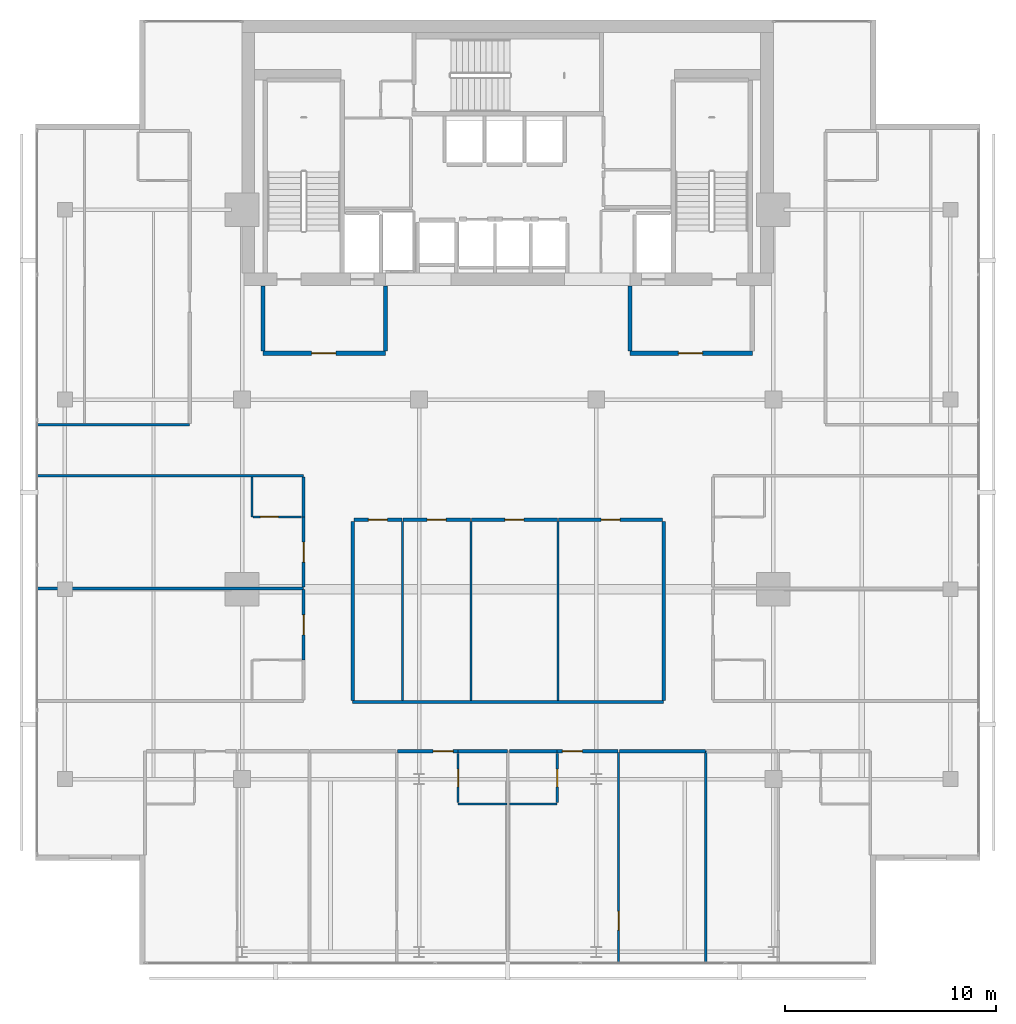
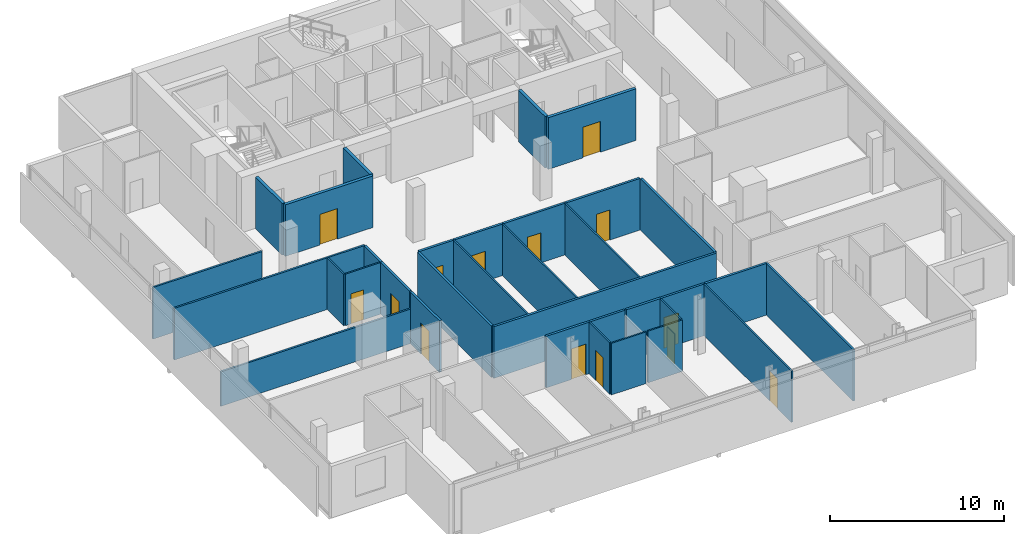
# One storey, part 20 of 25: 34 walls, 14 doors, 14 openings.
"""IFC4 building model written with IfcOpenShell, lengths in metres."""

import ifcopenshell
import ifcopenshell.guid

model = None  # the IFC model being written
_history = None  # IfcOwnerHistory: only IFC2X3 demands one
_inside = {}  # id of a spatial element -> (the spatial element, [elements in it])
_under = {}  # id of a project, library or spatial element -> (it, [spatial elements below it])
_declared = {}  # id of a project -> (the project, [libraries it declares])
_typed = {}  # id of a type object -> (the type object, [elements of that type])
_made_of = {}  # id of a material, layer set ... -> (it, [elements and type objects made of it])


def new_model(schema):
    """Start an empty IFC model of exactly this schema.

    Asked for "IFC4X3", IfcOpenShell would pick the latest addendum, in which some entities
    have other attributes; the version numbers below select the first issue.
    IFC2X3 requires an IfcOwnerHistory on every rooted entity: one is made here for all.
    """
    global model, _history
    if schema == "IFC4X3":
        model = ifcopenshell.file(schema_version=(4, 3, 0, 0))
    else:
        model = ifcopenshell.file(schema=schema)
    _inside.clear()
    _under.clear()
    _declared.clear()
    _typed.clear()
    _made_of.clear()
    _history = None
    if model.schema == "IFC2X3":
        org = make("IfcOrganization", Name="unknown")
        user = make(
            "IfcPersonAndOrganization",
            ThePerson=make("IfcPerson", FamilyName="unknown"),
            TheOrganization=org,
        )
        app = make(
            "IfcApplication",
            ApplicationDeveloper=org,
            Version="unknown",
            ApplicationFullName="unknown",
            ApplicationIdentifier="unknown",
        )
        _history = make(
            "IfcOwnerHistory",
            OwningUser=user,
            OwningApplication=app,
            ChangeAction="ADDED",
            CreationDate=0,
        )
    return model


def make(cls, **values):
    """One entity of the class cls with the attributes given. An attribute that is None is left unset."""
    return model.create_entity(
        cls, **{name: value for name, value in values.items() if value is not None}
    )


def rooted(cls, **values):
    """An entity with a GlobalId (a new one), such as an element, a storey or a relation."""
    return make(cls, GlobalId=ifcopenshell.guid.new(), OwnerHistory=_history, **values)


def si_unit(unit_type, name, prefix=None):
    """IfcSIUnit, for example si_unit("LENGTHUNIT", "METRE", prefix="MILLI")."""
    return make("IfcSIUnit", UnitType=unit_type, Prefix=prefix, Name=name)


def assignment(units):
    """IfcUnitAssignment: the units of a project."""
    return None if units is None else make("IfcUnitAssignment", Units=units)


def point(xyz):
    """IfcCartesianPoint."""
    return None if xyz is None else make("IfcCartesianPoint", Coordinates=xyz)


def direction(xyz):
    """IfcDirection."""
    return None if xyz is None else make("IfcDirection", DirectionRatios=xyz)


def frame(location, z_axis=None, x_axis=None):
    """IfcAxis2Placement3D, a coordinate frame: its origin and axes. An axis left out is left unset."""
    return make(
        "IfcAxis2Placement3D",
        Location=point(location),
        Axis=direction(z_axis),
        RefDirection=direction(x_axis),
    )


def frame_2d(location, x_axis=None):
    """IfcAxis2Placement2D, a coordinate frame in the plane: its origin and x axis."""
    return make(
        "IfcAxis2Placement2D", Location=point(location), RefDirection=direction(x_axis)
    )


def origin():
    """The frame at (0, 0, 0) with its axes left unset."""
    return frame((0.0, 0.0, 0.0))


def place(relative_to, where):
    """IfcLocalPlacement: puts the frame where relative to a parent placement (None: the world)."""
    return make(
        "IfcLocalPlacement", PlacementRelTo=relative_to, RelativePlacement=where
    )


def context(
    kind, dimensions, precision=None, world=None, true_north=None, identifier=None
):
    """IfcGeometricRepresentationContext, for example the 3D "Model" context."""
    return make(
        "IfcGeometricRepresentationContext",
        ContextIdentifier=identifier,
        ContextType=kind,
        CoordinateSpaceDimension=dimensions,
        Precision=precision,
        WorldCoordinateSystem=world,
        TrueNorth=true_north,
    )


def subcontext(parent, identifier, kind, view, scale=None):
    """IfcGeometricRepresentationSubContext, for example "Body" below "Model"."""
    return make(
        "IfcGeometricRepresentationSubContext",
        ContextIdentifier=identifier,
        ContextType=kind,
        ParentContext=parent,
        TargetScale=scale,
        TargetView=view,
    )


def project(units=None, contexts=None):
    """IfcProject with its units and contexts."""
    return rooted(
        "IfcProject",
        Name="project",
        RepresentationContexts=contexts,
        UnitsInContext=assignment(units),
    )


def spatial(cls, under=None, at=None, **own):
    """A site, building, storey or space (cls), placed at a placement, below another one or the project."""
    s = rooted(cls, ObjectPlacement=at, **own)
    if under is not None:
        _under.setdefault(under.id(), (under, []))[1].append(s)
    return s


def profile(cls, at=None, kind="AREA", **sizes):
    """A parametric profile (cls). Its sizes go by their IFC names, for example OverallWidth=200.0."""
    return make(cls, ProfileType=kind, Position=at, **sizes)


def rectangle(**sizes):
    """IfcRectangleProfileDef."""
    return profile("IfcRectangleProfileDef", **sizes)


def extrude(swept, where, along, depth):
    """IfcExtrudedAreaSolid: the profile swept, set in the frame where, extruded along a direction by depth."""
    return make(
        "IfcExtrudedAreaSolid",
        SweptArea=swept,
        Position=where,
        ExtrudedDirection=direction(along),
        Depth=depth,
    )


def shape(context_of_items, identifier, shape_type, items):
    """IfcShapeRepresentation: the items that make up one representation, for example the "Body"."""
    return make(
        "IfcShapeRepresentation",
        ContextOfItems=context_of_items,
        RepresentationIdentifier=identifier,
        RepresentationType=shape_type,
        Items=items,
    )


def material(Name=None, Category=None):
    """IfcMaterial."""
    return make("IfcMaterial", Name=Name, Category=Category)


def layer(
    of_material, thickness, ventilated=None, Name=None, Category=None, Priority=None
):
    """IfcMaterialLayer: one layer of a wall or slab, of a material (None: an air gap)."""
    return make(
        "IfcMaterialLayer",
        Material=of_material,
        LayerThickness=thickness,
        IsVentilated=ventilated,
        Name=Name,
        Category=Category,
        Priority=Priority,
    )


def layer_set(layers, Name=None):
    """IfcMaterialLayerSet."""
    return make("IfcMaterialLayerSet", MaterialLayers=layers, LayerSetName=Name)


def made_of(thing, what):
    """Note that an element or type object is made of a material, layer set ...; save() writes the relation."""
    if what is not None:
        _made_of.setdefault(what.id(), (what, []))[1].append(thing)
    return thing


def type_object(cls, material=None, **own):
    """A type object (cls), such as IfcWallType, which elements share."""
    return made_of(rooted(cls, **own), material)


def element(
    cls,
    number,
    at=None,
    inside=None,
    cuts=None,
    type_object=None,
    material=None,
    context=None,
    identifier="Body",
    shape_type=None,
    held_by="IfcProductDefinitionShape",
    body=None,
    shapes=None,
    **own,
):
    """One element of the class cls, such as IfcWall. Its Tag is "e" and its number.

    at: its placement. inside: the storey or other place that contains it. cuts: it is an
    opening in that element (IfcRelVoidsElement). A single representation is given by context,
    identifier, shape_type and body (its items); several are given by shapes. held_by: the class
    of the entity that holds the representations. save() writes the other relations.
    """
    e = rooted(cls, Tag="e%d" % number, ObjectPlacement=at, **own)
    if body is not None:
        shapes = [shape(context, identifier, shape_type, body)]
    if shapes is not None:
        e.Representation = make(held_by, Representations=shapes)
    if inside is not None:
        _inside.setdefault(inside.id(), (inside, []))[1].append(e)
    if cuts is not None:
        rooted(
            "IfcRelVoidsElement", RelatingBuildingElement=cuts, RelatedOpeningElement=e
        )
    if type_object is not None:
        _typed.setdefault(type_object.id(), (type_object, []))[1].append(e)
    return made_of(e, material)


def fill(opening, filler):
    """IfcRelFillsElement: the door or window that sits in an opening."""
    return rooted(
        "IfcRelFillsElement",
        RelatingOpeningElement=opening,
        RelatedBuildingElement=filler,
    )


def aggregate(whole, parts):
    """IfcRelAggregates: a whole, such as a stair, and the parts it consists of."""
    return rooted("IfcRelAggregates", RelatingObject=whole, RelatedObjects=parts)


def save(model, path):
    """Write the relations noted so far, then the file.

    IfcRelAggregates (storeys below a building ...), IfcRelContainedInSpatialStructure (elements
    in a storey), IfcRelDefinesByType, IfcRelAssociatesMaterial and IfcRelDeclares: one each for
    every whole, place, type object, material and project.
    """
    for whole, parts in _under.values():
        aggregate(whole, parts)
    for where, things in _inside.values():
        rooted(
            "IfcRelContainedInSpatialStructure",
            RelatedElements=things,
            RelatingStructure=where,
        )
    for kind, things in _typed.values():
        rooted("IfcRelDefinesByType", RelatedObjects=things, RelatingType=kind)
    for what, things in _made_of.values():
        rooted("IfcRelAssociatesMaterial", RelatedObjects=things, RelatingMaterial=what)
    for by, libraries in _declared.values():
        rooted("IfcRelDeclares", RelatingContext=by, RelatedDefinitions=libraries)
    model.write(path)


model = new_model("IFC4")

# Units and contexts
model_context = context("Model", 3, precision=1e-05, world=origin(), true_north=direction((0.0, 1.0)))
body_context = subcontext(model_context, "Body", "Model", "MODEL_VIEW")
ifc_project = project(units=[si_unit("LENGTHUNIT", "METRE"), si_unit("AREAUNIT", "SQUARE_METRE"), si_unit("VOLUMEUNIT", "CUBIC_METRE"), si_unit("PLANEANGLEUNIT", "RADIAN"), si_unit("MASSUNIT", "GRAM", prefix="KILO")], contexts=[model_context])

# Site, building, storey
site_placement = place(None, origin())
site = spatial("IfcSite", under=ifc_project, at=site_placement, CompositionType="ELEMENT")
building_placement = place(site_placement, origin())
building = spatial("IfcBuilding", under=site, at=building_placement, Name="Maruvema Waterfront Hotel and Observation Tower", CompositionType="ELEMENT")
storey_placement = place(building_placement, frame((0.0, 0.0, 308.699951171875)))
storey = spatial("IfcBuildingStorey", under=building, at=storey_placement, Name="L76", CompositionType="ELEMENT", Elevation=308.699951171875)

# Walls
ifc_material_1 = material(Name="Twin-stud acoustic gypsum drywall", Category="gypsum")
ifc_layer_1 = layer(ifc_material_1, 0.14990234375, Name="Acoustic Corridor and Suite Demising Wall 150 mm")
ifc_layer_set_1 = layer_set([ifc_layer_1], Name="Twin-stud acoustic gypsum drywall")
wall_type_1 = type_object("IfcWallType", Name="Acoustic Corridor and Suite Demising Wall 150 mm", PredefinedType="PARTITIONING", material=ifc_layer_set_1)
wall_1_placement = place(storey_placement, frame((30.449951171875, 21.64990234375, 0.0), z_axis=(0.0, 0.0, 1.0), x_axis=(1.0, 0.0, 0.0)))
element("IfcWall", 1, at=wall_1_placement, inside=storey, type_object=wall_type_1, Name="L76 L76-Z3M Back Wall 021", PredefinedType="PARTITIONING", context=body_context, shape_type="SweptSolid", body=[
    extrude(rectangle(XDim=14.75, YDim=0.14990234375, at=frame_2d((7.375, 0.0))), origin(), (0.0, 0.0, 1.0), 3.610107421875),
])
for number, where, z_axis, x_axis, name in (
    (2, (30.449951171875, 21.72998046875, 0.0), (0.0, 0.0, 1.0), (0.0, 1.0, 0.0), "L76 L76-Z3M West Wall 022"),
    (3, (45.199951171875, 21.72998046875, 0.0), (0.0, 0.0, 1.0), (0.0, 1.0, 0.0), "L76 L76-Z3M East Wall 023"),
):
    element("IfcWall", number, at=place(storey_placement, frame(where, z_axis=z_axis, x_axis=x_axis)), inside=storey, type_object=wall_type_1, Name=name, PredefinedType="PARTITIONING", context=body_context, shape_type="SweptSolid", body=[
        extrude(rectangle(XDim=8.489990234375, YDim=0.14990234375, at=frame_2d((4.2451171875, 0.0))), origin(), (0.0, 0.0, 1.0), 3.610107421875),
    ])

# Wall, opening, door
wall_2_placement = place(storey_placement, frame((30.510009765625, 30.300048828125, 0.0), z_axis=(0.0, 0.0, 1.0), x_axis=(1.0, 0.0, 0.0)))
wall_2 = element("IfcWall", 4, at=wall_2_placement, inside=storey, type_object=wall_type_1, Name="L76 L76-Z3M Front 1 024", PredefinedType="PARTITIONING", context=body_context, shape_type="SweptSolid", body=[
    extrude(rectangle(XDim=2.27001953125, YDim=0.14990234375, at=frame_2d((1.135009765625, 0.0))), origin(), (0.0, 0.0, 1.0), 3.610107421875),
])
opening_1_placement = place(wall_2_placement, frame((0.68505859375, 0.0, 0.0)))
opening_1 = element("IfcOpeningElement", 5, at=opening_1_placement, cuts=wall_2, Name="Opening DR-090", PredefinedType="OPENING", context=body_context, shape_type="SweptSolid", body=[
    extrude(rectangle(XDim=0.89990234375, YDim=2.10009765625, at=frame_2d((0.449951171875, 1.050048828125))), frame((0.0, 0.0849609375, 0.0), z_axis=(0.0, -1.0, 0.0), x_axis=(1.0, 0.0, 0.0)), (0.0, 0.0, 1.0), 0.169921875),
])
ifc_material_2 = material(Name="Solid-core lacquered timber leaf", Category="wood")
door_type_1 = type_object("IfcDoorType", Name="Accessible Toilet and Room Door 900x2100 mm", OperationType="NOTDEFINED", PredefinedType="DOOR", material=ifc_material_2)
door_1_placement = place(opening_1_placement, origin())
door_1 = element("IfcDoor", 6, at=door_1_placement, inside=storey, type_object=door_type_1, Name="L76 Royal Dining Salon 1 Door", OperationType="SINGLE_SWING_RIGHT", OverallHeight=2.10009765625, OverallWidth=0.89990234375, PredefinedType="DOOR", context=body_context, shape_type="SweptSolid", body=[
    extrude(rectangle(XDim=0.89990234375, YDim=2.10009765625, at=frame_2d((0.449951171875, 1.050048828125))), frame((0.0, 0.02490234375, 0.0), z_axis=(0.0, -1.0, 0.0), x_axis=(1.0, 0.0, 0.0)), (0.0, 0.0, 1.0), 0.050048828125),
])
fill(opening_1, door_1)

wall_3_placement = place(storey_placement, frame((32.840087890625, 30.300048828125, 0.0), z_axis=(0.0, 0.0, 1.0), x_axis=(1.0, 0.0, 0.0)))
wall_3 = element("IfcWall", 7, at=wall_3_placement, inside=storey, type_object=wall_type_1, Name="L76 L76-Z3M Front 2 026", PredefinedType="PARTITIONING", context=body_context, shape_type="SweptSolid", body=[
    extrude(rectangle(XDim=3.184814453125, YDim=0.14990234375, at=frame_2d((1.59228515625, 0.0))), origin(), (0.0, 0.0, 1.0), 3.610107421875),
])
opening_2_placement = place(wall_3_placement, frame((1.142578125, 0.0, 0.0)))
opening_2 = element("IfcOpeningElement", 8, at=opening_2_placement, cuts=wall_3, Name="Opening DR-090", PredefinedType="OPENING", context=body_context, shape_type="SweptSolid", body=[
    extrude(rectangle(XDim=0.89990234375, YDim=2.10009765625, at=frame_2d((0.449951171875, 1.050048828125))), frame((0.0, 0.0849609375, 0.0), z_axis=(0.0, -1.0, 0.0), x_axis=(1.0, 0.0, 0.0)), (0.0, 0.0, 1.0), 0.169921875),
])
door_2_placement = place(opening_2_placement, origin())
door_2 = element("IfcDoor", 9, at=door_2_placement, inside=storey, type_object=door_type_1, Name="L76 Royal Dining Salon 2 Door", OperationType="SINGLE_SWING_LEFT", OverallHeight=2.10009765625, OverallWidth=0.89990234375, PredefinedType="DOOR", context=body_context, shape_type="SweptSolid", body=[
    extrude(rectangle(XDim=0.89990234375, YDim=2.10009765625, at=frame_2d((0.449951171875, 1.050048828125))), frame((0.0, 0.02490234375, 0.0), z_axis=(0.0, -1.0, 0.0), x_axis=(1.0, 0.0, 0.0)), (0.0, 0.0, 1.0), 0.050048828125),
])
fill(opening_2, door_2)

wall_4_placement = place(storey_placement, frame((36.0849609375, 30.300048828125, 0.0), z_axis=(0.0, 0.0, 1.0), x_axis=(1.0, 0.0, 0.0)))
wall_4 = element("IfcWall", 10, at=wall_4_placement, inside=storey, type_object=wall_type_1, Name="L76 L76-Z3M Front 3 028", PredefinedType="PARTITIONING", context=body_context, shape_type="SweptSolid", body=[
    extrude(rectangle(XDim=4.070068359375, YDim=0.14990234375, at=frame_2d((2.03515625, 0.0))), origin(), (0.0, 0.0, 1.0), 3.610107421875),
])
opening_3_placement = place(wall_4_placement, frame((1.5849609375, 0.0, 0.0)))
opening_3 = element("IfcOpeningElement", 11, at=opening_3_placement, cuts=wall_4, Name="Opening DR-090", PredefinedType="OPENING", context=body_context, shape_type="SweptSolid", body=[
    extrude(rectangle(XDim=0.89990234375, YDim=2.10009765625, at=frame_2d((0.449951171875, 1.050048828125))), frame((0.0, 0.0849609375, 0.0), z_axis=(0.0, -1.0, 0.0), x_axis=(1.0, 0.0, 0.0)), (0.0, 0.0, 1.0), 0.169921875),
])
door_3_placement = place(opening_3_placement, origin())
door_3 = element("IfcDoor", 12, at=door_3_placement, inside=storey, type_object=door_type_1, Name="L76 Royal Show Kitchen Door", OperationType="SINGLE_SWING_RIGHT", OverallHeight=2.10009765625, OverallWidth=0.89990234375, PredefinedType="DOOR", context=body_context, shape_type="SweptSolid", body=[
    extrude(rectangle(XDim=0.89990234375, YDim=2.10009765625, at=frame_2d((0.449951171875, 1.050048828125))), frame((0.0, 0.02490234375, 0.0), z_axis=(0.0, -1.0, 0.0), x_axis=(1.0, 0.0, 0.0)), (0.0, 0.0, 1.0), 0.050048828125),
])
fill(opening_3, door_3)

wall_5_placement = place(storey_placement, frame((40.215087890625, 30.300048828125, 0.0), z_axis=(0.0, 0.0, 1.0), x_axis=(1.0, 0.0, 0.0)))
wall_5 = element("IfcWall", 13, at=wall_5_placement, inside=storey, type_object=wall_type_1, Name="L76 L76-Z3M Front 4 030", PredefinedType="PARTITIONING", context=body_context, shape_type="SweptSolid", body=[
    extrude(rectangle(XDim=4.9248046875, YDim=0.14990234375, at=frame_2d((2.46240234375, 0.0))), origin(), (0.0, 0.0, 1.0), 3.610107421875),
])
opening_4_placement = place(wall_5_placement, frame((2.012451171875, 0.0, 0.0)))
opening_4 = element("IfcOpeningElement", 14, at=opening_4_placement, cuts=wall_5, Name="Opening DR-090", PredefinedType="OPENING", context=body_context, shape_type="SweptSolid", body=[
    extrude(rectangle(XDim=0.89990234375, YDim=2.10009765625, at=frame_2d((0.449951171875, 1.050048828125))), frame((0.0, 0.0849609375, 0.0), z_axis=(0.0, -1.0, 0.0), x_axis=(1.0, 0.0, 0.0)), (0.0, 0.0, 1.0), 0.169921875),
])
door_4_placement = place(opening_4_placement, origin())
door_4 = element("IfcDoor", 15, at=door_4_placement, inside=storey, type_object=door_type_1, Name="L76 Security Office Door", OperationType="SINGLE_SWING_LEFT", OverallHeight=2.10009765625, OverallWidth=0.89990234375, PredefinedType="DOOR", context=body_context, shape_type="SweptSolid", body=[
    extrude(rectangle(XDim=0.89990234375, YDim=2.10009765625, at=frame_2d((0.449951171875, 1.050048828125))), frame((0.0, 0.02490234375, 0.0), z_axis=(0.0, -1.0, 0.0), x_axis=(1.0, 0.0, 0.0)), (0.0, 0.0, 1.0), 0.050048828125),
])
fill(opening_4, door_4)

# Wall
wall_6_placement = place(storey_placement, frame((35.449951171875, 19.320068359375, 0.0), z_axis=(0.0, 0.0, 1.0), x_axis=(1.0, 0.0, 0.0)))
element("IfcWall", 16, at=wall_6_placement, inside=storey, type_object=wall_type_1, Name="L76 Bath L76-S2 Back Wall 040", PredefinedType="PARTITIONING", context=body_context, shape_type="SweptSolid", body=[
    extrude(rectangle(XDim=2.330078125, YDim=0.14990234375, at=frame_2d((1.1650390625, 0.0))), origin(), (0.0, 0.0, 1.0), 3.610107421875),
])

# Wall, opening, door
wall_7_placement = place(storey_placement, frame((32.575927734375, 19.320068359375, 0.0), z_axis=(0.0, 0.0, 1.0), x_axis=(1.0, 0.0, 0.0)))
wall_7 = element("IfcWall", 17, at=wall_7_placement, inside=storey, type_object=wall_type_1, Name="L76 Unit L76-S2 Corridor Wall 044", PredefinedType="PARTITIONING", context=body_context, shape_type="SweptSolid", body=[
    extrude(rectangle(XDim=2.8740234375, YDim=0.14990234375, at=frame_2d((1.43701171875, 0.0))), origin(), (0.0, 0.0, 1.0), 3.610107421875),
])
opening_5_placement = place(wall_7_placement, frame((1.681884765625, 0.0, 0.0)))
opening_5 = element("IfcOpeningElement", 18, at=opening_5_placement, cuts=wall_7, Name="Opening DR-095", PredefinedType="OPENING", context=body_context, shape_type="SweptSolid", body=[
    extrude(rectangle(XDim=0.949951171875, YDim=2.14990234375, at=frame_2d((0.47509765625, 1.074951171875))), frame((0.0, 0.0849609375, 0.0), z_axis=(0.0, -1.0, 0.0), x_axis=(1.0, 0.0, 0.0)), (0.0, 0.0, 1.0), 0.169921875),
])
ifc_material_3 = material(Name="Acoustic solid-core hardwood timber leaf", Category="wood")
door_type_2 = type_object("IfcDoorType", Name="Guestroom Entrance Fire Door 950x2150 mm", OperationType="NOTDEFINED", PredefinedType="DOOR", material=ifc_material_3)
door_5_placement = place(opening_5_placement, frame((0.949951171875, 0.0, 0.0), z_axis=(0.0, 0.0, 1.0), x_axis=(-1.0, 0.0, 0.0)))
door_5 = element("IfcDoor", 19, at=door_5_placement, inside=storey, type_object=door_type_2, Name="L76 Unit L76-S2 Entrance Door", OperationType="SINGLE_SWING_RIGHT", OverallHeight=2.14990234375, OverallWidth=0.949951171875, PredefinedType="DOOR", context=body_context, shape_type="SweptSolid", body=[
    extrude(rectangle(XDim=0.949951171875, YDim=2.14990234375, at=frame_2d((0.47509765625, 1.074951171875))), frame((0.0, 0.02490234375, 0.0), z_axis=(0.0, -1.0, 0.0), x_axis=(1.0, 0.0, 0.0)), (0.0, 0.0, 1.0), 0.050048828125),
])
fill(opening_5, door_5)

# Wall
wall_8_placement = place(storey_placement, frame((37.8798828125, 19.320068359375, 0.0), z_axis=(0.0, 0.0, 1.0), x_axis=(1.0, 0.0, 0.0)))
element("IfcWall", 20, at=wall_8_placement, inside=storey, type_object=wall_type_1, Name="L76 Bath L76-S3 Back Wall 047", PredefinedType="PARTITIONING", context=body_context, shape_type="SweptSolid", body=[
    extrude(rectangle(XDim=2.27001953125, YDim=0.14990234375, at=frame_2d((1.135009765625, 0.0))), origin(), (0.0, 0.0, 1.0), 3.610107421875),
])

# Wall, opening, door
wall_9_placement = place(storey_placement, frame((40.14990234375, 19.320068359375, 0.0), z_axis=(0.0, 0.0, 1.0), x_axis=(1.0, 0.0, 0.0)))
wall_9 = element("IfcWall", 21, at=wall_9_placement, inside=storey, type_object=wall_type_1, Name="L76 Unit L76-S3 Corridor Wall 050", PredefinedType="PARTITIONING", context=body_context, shape_type="SweptSolid", body=[
    extrude(rectangle(XDim=2.8740234375, YDim=0.14990234375, at=frame_2d((1.43701171875, 0.0))), origin(), (0.0, 0.0, 1.0), 3.610107421875),
])
opening_6_placement = place(wall_9_placement, frame((0.241943359375, 0.0, 0.0)))
opening_6 = element("IfcOpeningElement", 22, at=opening_6_placement, cuts=wall_9, Name="Opening DR-095", PredefinedType="OPENING", context=body_context, shape_type="SweptSolid", body=[
    extrude(rectangle(XDim=0.949951171875, YDim=2.14990234375, at=frame_2d((0.47509765625, 1.074951171875))), frame((0.0, 0.0849609375, 0.0), z_axis=(0.0, -1.0, 0.0), x_axis=(1.0, 0.0, 0.0)), (0.0, 0.0, 1.0), 0.169921875),
])
door_6_placement = place(opening_6_placement, frame((0.949951171875, 0.0, 0.0), z_axis=(0.0, 0.0, 1.0), x_axis=(-1.0, 0.0, 0.0)))
door_6 = element("IfcDoor", 23, at=door_6_placement, inside=storey, type_object=door_type_2, Name="L76 Unit L76-S3 Entrance Door", OperationType="SINGLE_SWING_LEFT", OverallHeight=2.14990234375, OverallWidth=0.949951171875, PredefinedType="DOOR", context=body_context, shape_type="SweptSolid", body=[
    extrude(rectangle(XDim=0.949951171875, YDim=2.14990234375, at=frame_2d((0.47509765625, 1.074951171875))), frame((0.0, 0.02490234375, 0.0), z_axis=(0.0, -1.0, 0.0), x_axis=(1.0, 0.0, 0.0)), (0.0, 0.0, 1.0), 0.050048828125),
])
fill(opening_6, door_6)

# Wall
wall_10_placement = place(storey_placement, frame((43.10400390625, 19.320068359375, 0.0), z_axis=(0.0, 0.0, 1.0), x_axis=(1.0, 0.0, 0.0)))
element("IfcWall", 24, at=wall_10_placement, inside=storey, type_object=wall_type_1, Name="L76 Bedroom L76-S3 Back Wall 051", PredefinedType="PARTITIONING", context=body_context, shape_type="SweptSolid", body=[
    extrude(rectangle(XDim=4.075927734375, YDim=0.14990234375, at=frame_2d((2.0380859375, 0.0))), origin(), (0.0, 0.0, 1.0), 3.610107421875),
])

# Wall, opening, door
wall_11_placement = place(storey_placement, frame((28.1201171875, 23.64990234375, 0.0), z_axis=(0.0, 0.0, 1.0), x_axis=(0.0, 1.0, 0.0)))
wall_11 = element("IfcWall", 25, at=wall_11_placement, inside=storey, type_object=wall_type_1, Name="L76 Room L76-W1 Corridor Wall 065", PredefinedType="PARTITIONING", context=body_context, shape_type="SweptSolid", body=[
    extrude(rectangle(XDim=3.330078125, YDim=0.14990234375, at=frame_2d((1.6650390625, 0.0))), origin(), (0.0, 0.0, 1.0), 3.610107421875),
])
opening_7_placement = place(wall_11_placement, frame((1.18994140625, 0.0, 0.0)))
opening_7 = element("IfcOpeningElement", 26, at=opening_7_placement, cuts=wall_11, Name="Opening DR-095", PredefinedType="OPENING", context=body_context, shape_type="SweptSolid", body=[
    extrude(rectangle(XDim=0.949951171875, YDim=2.14990234375, at=frame_2d((0.47509765625, 1.074951171875))), frame((0.0, 0.0849609375, 0.0), z_axis=(0.0, -1.0, 0.0), x_axis=(1.0, 0.0, 0.0)), (0.0, 0.0, 1.0), 0.169921875),
])
door_7_placement = place(opening_7_placement, origin())
door_7 = element("IfcDoor", 27, at=door_7_placement, inside=storey, type_object=door_type_2, Name="L76 Room L76-W1 Entrance Door", OperationType="SINGLE_SWING_LEFT", OverallHeight=2.14990234375, OverallWidth=0.949951171875, PredefinedType="DOOR", context=body_context, shape_type="SweptSolid", body=[
    extrude(rectangle(XDim=0.949951171875, YDim=2.14990234375, at=frame_2d((0.47509765625, 1.074951171875))), frame((0.0, 0.02490234375, 0.0), z_axis=(0.0, -1.0, 0.0), x_axis=(1.0, 0.0, 0.0)), (0.0, 0.0, 1.0), 0.050048828125),
])
fill(opening_7, door_7)

wall_12_placement = place(storey_placement, frame((28.1201171875, 27.10009765625, 0.0), z_axis=(0.0, 0.0, 1.0), x_axis=(0.0, 1.0, 0.0)))
wall_12 = element("IfcWall", 28, at=wall_12_placement, inside=storey, type_object=wall_type_1, Name="L76 Room L76-W2 Corridor Wall 074", PredefinedType="PARTITIONING", context=body_context, shape_type="SweptSolid", body=[
    extrude(rectangle(XDim=3.329833984375, YDim=0.14990234375, at=frame_2d((1.6650390625, 0.0))), origin(), (0.0, 0.0, 1.0), 3.610107421875),
])
opening_8_placement = place(wall_12_placement, frame((1.18994140625, 0.0, 0.0)))
opening_8 = element("IfcOpeningElement", 29, at=opening_8_placement, cuts=wall_12, Name="Opening DR-095", PredefinedType="OPENING", context=body_context, shape_type="SweptSolid", body=[
    extrude(rectangle(XDim=0.949951171875, YDim=2.14990234375, at=frame_2d((0.47509765625, 1.074951171875))), frame((0.0, 0.0849609375, 0.0), z_axis=(0.0, -1.0, 0.0), x_axis=(1.0, 0.0, 0.0)), (0.0, 0.0, 1.0), 0.169921875),
])
door_8_placement = place(opening_8_placement, origin())
door_8 = element("IfcDoor", 30, at=door_8_placement, inside=storey, type_object=door_type_2, Name="L76 Room L76-W2 Entrance Door", OperationType="SINGLE_SWING_LEFT", OverallHeight=2.14990234375, OverallWidth=0.949951171875, PredefinedType="DOOR", context=body_context, shape_type="SweptSolid", body=[
    extrude(rectangle(XDim=0.949951171875, YDim=2.14990234375, at=frame_2d((0.47509765625, 1.074951171875))), frame((0.0, 0.02490234375, 0.0), z_axis=(0.0, -1.0, 0.0), x_axis=(1.0, 0.0, 0.0)), (0.0, 0.0, 1.0), 0.050048828125),
])
fill(opening_8, door_8)

# Walls
wall_13_placement = place(storey_placement, frame((28.1201171875, 30.429931640625, 0.0), z_axis=(0.0, 0.0, 1.0), x_axis=(0.0, 1.0, 0.0)))
element("IfcWall", 31, at=wall_13_placement, inside=storey, type_object=wall_type_1, Name="L76 Bath L76-W2 Wall 075", PredefinedType="PARTITIONING", context=body_context, shape_type="SweptSolid", body=[
    extrude(rectangle(XDim=1.89013671875, YDim=0.14990234375, at=frame_2d((0.945068359375, 0.0))), origin(), (0.0, 0.0, 1.0), 3.610107421875),
])
ifc_material_4 = material(Name="Moisture-resistant cement-board drywall", Category="gypsum")
ifc_layer_2 = layer(ifc_material_4, 0.10009765625, Name="En-Suite Moisture-Resistant Partition 100 mm")
ifc_layer_set_2 = layer_set([ifc_layer_2], Name="Moisture-resistant cement-board drywall")
wall_type_2 = type_object("IfcWallType", Name="En-Suite Moisture-Resistant Partition 100 mm", PredefinedType="PARTITIONING", material=ifc_layer_set_2)
for number, where, z_axis, x_axis, name in (
    (32, (32.81005859375, 21.72998046875, 0.0), (0.0, 0.0, 1.0), (0.0, 1.0, 0.0), "L76 L76-Z3M Split 1 025"),
    (33, (36.054931640625, 21.72998046875, 0.0), (0.0, 0.0, 1.0), (0.0, 1.0, 0.0), "L76 L76-Z3M Split 2 027"),
    (34, (40.18505859375, 21.72998046875, 0.0), (0.0, 0.0, 1.0), (0.0, 1.0, 0.0), "L76 L76-Z3M Split 3 029"),
):
    element("IfcWall", number, at=place(storey_placement, frame(where, z_axis=z_axis, x_axis=x_axis)), inside=storey, type_object=wall_type_2, Name=name, PredefinedType="PARTITIONING", context=body_context, shape_type="SweptSolid", body=[
        extrude(rectangle(XDim=8.489990234375, YDim=0.10009765625, at=frame_2d((4.2451171875, 0.0))), origin(), (0.0, 0.0, 1.0), 3.610107421875),
    ])
wall_14_placement = place(storey_placement, frame((35.449951171875, 16.820068359375, 0.0), z_axis=(0.0, 0.0, 1.0), x_axis=(1.0, 0.0, 0.0)))
element("IfcWall", 35, at=wall_14_placement, inside=storey, type_object=wall_type_2, Name="L76 En-Suite L76-S2 South 041", PredefinedType="PARTITIONING", context=body_context, shape_type="SweptSolid", body=[
    extrude(rectangle(XDim=2.31005859375, YDim=0.10009765625, at=frame_2d((1.155029296875, 0.0))), origin(), (0.0, 0.0, 1.0), 3.610107421875),
])

# Wall, opening, door
wall_15_placement = place(storey_placement, frame((35.449951171875, 16.8798828125, 0.0), z_axis=(0.0, 0.0, 1.0), x_axis=(0.0, 1.0, 0.0)))
wall_15 = element("IfcWall", 36, at=wall_15_placement, inside=storey, type_object=wall_type_2, Name="L76 En-Suite L76-S2 West 042", PredefinedType="PARTITIONING", context=body_context, shape_type="SweptSolid", body=[
    extrude(rectangle(XDim=2.340087890625, YDim=0.10009765625, at=frame_2d((1.169921875, 0.0))), origin(), (0.0, 0.0, 1.0), 3.610107421875),
])
opening_9_placement = place(wall_15_placement, frame((0.7451171875, 0.0, 0.0)))
opening_9 = element("IfcOpeningElement", 37, at=opening_9_placement, cuts=wall_15, Name="Opening DR-085", PredefinedType="OPENING", context=body_context, shape_type="SweptSolid", body=[
    extrude(rectangle(XDim=0.85009765625, YDim=2.10009765625, at=frame_2d((0.425048828125, 1.050048828125))), frame((0.0, 0.06005859375, 0.0), z_axis=(0.0, -1.0, 0.0), x_axis=(1.0, 0.0, 0.0)), (0.0, 0.0, 1.0), 0.1201171875),
])
ifc_material_5 = material(Name="Moisture-resistant solid timber leaf", Category="wood")
door_type_3 = type_object("IfcDoorType", Name="En-Suite Bathroom Door 850x2100 mm", OperationType="NOTDEFINED", PredefinedType="DOOR", material=ifc_material_5)
door_9_placement = place(opening_9_placement, origin())
door_9 = element("IfcDoor", 38, at=door_9_placement, inside=storey, type_object=door_type_3, Name="L76 En-Suite L76-S2 Door", OperationType="SINGLE_SWING_LEFT", OverallHeight=2.10009765625, OverallWidth=0.85009765625, PredefinedType="DOOR", context=body_context, shape_type="SweptSolid", body=[
    extrude(rectangle(XDim=0.85009765625, YDim=2.10009765625, at=frame_2d((0.425048828125, 1.050048828125))), frame((0.0, 0.02490234375, 0.0), z_axis=(0.0, -1.0, 0.0), x_axis=(1.0, 0.0, 0.0)), (0.0, 0.0, 1.0), 0.050048828125),
])
fill(opening_9, door_9)

# Wall
wall_16_placement = place(storey_placement, frame((37.8798828125, 16.820068359375, 0.0), z_axis=(0.0, 0.0, 1.0), x_axis=(1.0, 0.0, 0.0)))
element("IfcWall", 39, at=wall_16_placement, inside=storey, type_object=wall_type_2, Name="L76 En-Suite L76-S3 South 048", PredefinedType="PARTITIONING", context=body_context, shape_type="SweptSolid", body=[
    extrude(rectangle(XDim=2.27001953125, YDim=0.10009765625, at=frame_2d((1.135009765625, 0.0))), origin(), (0.0, 0.0, 1.0), 3.610107421875),
])

# Wall, opening, door
wall_17_placement = place(storey_placement, frame((40.14990234375, 16.8798828125, 0.0), z_axis=(0.0, 0.0, 1.0), x_axis=(0.0, 1.0, 0.0)))
wall_17 = element("IfcWall", 40, at=wall_17_placement, inside=storey, type_object=wall_type_2, Name="L76 En-Suite L76-S3 East 049", PredefinedType="PARTITIONING", context=body_context, shape_type="SweptSolid", body=[
    extrude(rectangle(XDim=2.340087890625, YDim=0.10009765625, at=frame_2d((1.169921875, 0.0))), origin(), (0.0, 0.0, 1.0), 3.610107421875),
])
opening_10_placement = place(wall_17_placement, frame((0.7451171875, 0.0, 0.0)))
opening_10 = element("IfcOpeningElement", 41, at=opening_10_placement, cuts=wall_17, Name="Opening DR-085", PredefinedType="OPENING", context=body_context, shape_type="SweptSolid", body=[
    extrude(rectangle(XDim=0.85009765625, YDim=2.10009765625, at=frame_2d((0.425048828125, 1.050048828125))), frame((0.0, 0.06005859375, 0.0), z_axis=(0.0, -1.0, 0.0), x_axis=(1.0, 0.0, 0.0)), (0.0, 0.0, 1.0), 0.1201171875),
])
door_10_placement = place(opening_10_placement, frame((0.85009765625, 0.0, 0.0), z_axis=(0.0, 0.0, 1.0), x_axis=(-1.0, 0.0, 0.0)))
door_10 = element("IfcDoor", 42, at=door_10_placement, inside=storey, type_object=door_type_3, Name="L76 En-Suite L76-S3 Door", OperationType="SINGLE_SWING_RIGHT", OverallHeight=2.10009765625, OverallWidth=0.85009765625, PredefinedType="DOOR", context=body_context, shape_type="SweptSolid", body=[
    extrude(rectangle(XDim=0.85009765625, YDim=2.10009765625, at=frame_2d((0.425048828125, 1.050048828125))), frame((0.0, 0.02490234375, 0.0), z_axis=(0.0, -1.0, 0.0), x_axis=(1.0, 0.0, 0.0)), (0.0, 0.0, 1.0), 0.050048828125),
])
fill(opening_10, door_10)

wall_18_placement = place(storey_placement, frame((43.06396484375, 9.22998046875, 0.0), z_axis=(0.0, 0.0, 1.0), x_axis=(0.0, 1.0, 0.0)))
wall_18 = element("IfcWall", 43, at=wall_18_placement, inside=storey, type_object=wall_type_2, Name="L76 Suite L76-S3 Split 052", PredefinedType="PARTITIONING", context=body_context, shape_type="SweptSolid", body=[
    extrude(rectangle(XDim=10.030029296875, YDim=0.10009765625, at=frame_2d((5.01513671875, 0.0))), origin(), (0.0, 0.0, 1.0), 3.610107421875),
])
opening_11_placement = place(wall_18_placement, frame((1.60009765625, 0.0, 0.0)))
opening_11 = element("IfcOpeningElement", 44, at=opening_11_placement, cuts=wall_18, Name="Opening DR-090", PredefinedType="OPENING", context=body_context, shape_type="SweptSolid", body=[
    extrude(rectangle(XDim=0.89990234375, YDim=2.10009765625, at=frame_2d((0.449951171875, 1.050048828125))), frame((0.0, 0.06005859375, 0.0), z_axis=(0.0, -1.0, 0.0), x_axis=(1.0, 0.0, 0.0)), (0.0, 0.0, 1.0), 0.1201171875),
])
door_11_placement = place(opening_11_placement, origin())
door_11 = element("IfcDoor", 45, at=door_11_placement, inside=storey, type_object=door_type_1, Name="L76 Suite L76-S3 Bedroom Door", OperationType="SINGLE_SWING_RIGHT", OverallHeight=2.10009765625, OverallWidth=0.89990234375, PredefinedType="DOOR", context=body_context, shape_type="SweptSolid", body=[
    extrude(rectangle(XDim=0.89990234375, YDim=2.10009765625, at=frame_2d((0.449951171875, 1.050048828125))), frame((0.0, 0.02490234375, 0.0), z_axis=(0.0, -1.0, 0.0), x_axis=(1.0, 0.0, 0.0)), (0.0, 0.0, 1.0), 0.050048828125),
])
fill(opening_11, door_11)

# Wall
wall_19_placement = place(storey_placement, frame((25.669921875, 30.429931640625, 0.0), z_axis=(0.0, 0.0, 1.0), x_axis=(0.0, 1.0, 0.0)))
element("IfcWall", 46, at=wall_19_placement, inside=storey, type_object=wall_type_2, Name="L76 En-Suite L76-W2 W 076", PredefinedType="PARTITIONING", context=body_context, shape_type="SweptSolid", body=[
    extrude(rectangle(XDim=1.89013671875, YDim=0.10009765625, at=frame_2d((0.945068359375, 0.0))), origin(), (0.0, 0.0, 1.0), 3.610107421875),
])

# Wall, opening, door
wall_20_placement = place(storey_placement, frame((25.719970703125, 30.429931640625, 0.0), z_axis=(0.0, 0.0, 1.0), x_axis=(1.0, 0.0, 0.0)))
wall_20 = element("IfcWall", 47, at=wall_20_placement, inside=storey, type_object=wall_type_2, Name="L76 En-Suite L76-W2 S 077", PredefinedType="PARTITIONING", context=body_context, shape_type="SweptSolid", body=[
    extrude(rectangle(XDim=2.300048828125, YDim=0.10009765625, at=frame_2d((1.14990234375, 0.0))), origin(), (0.0, 0.0, 1.0), 3.610107421875),
])
opening_12_placement = place(wall_20_placement, frame((0.35009765625, 0.0, 0.0)))
opening_12 = element("IfcOpeningElement", 48, at=opening_12_placement, cuts=wall_20, Name="Opening DR-085", PredefinedType="OPENING", context=body_context, shape_type="SweptSolid", body=[
    extrude(rectangle(XDim=0.85009765625, YDim=2.10009765625, at=frame_2d((0.425048828125, 1.050048828125))), frame((0.0, 0.06005859375, 0.0), z_axis=(0.0, -1.0, 0.0), x_axis=(1.0, 0.0, 0.0)), (0.0, 0.0, 1.0), 0.1201171875),
])
door_12_placement = place(opening_12_placement, frame((0.85009765625, 0.0, 0.0), z_axis=(0.0, 0.0, 1.0), x_axis=(-1.0, 0.0, 0.0)))
door_12 = element("IfcDoor", 49, at=door_12_placement, inside=storey, type_object=door_type_3, Name="L76 En-Suite L76-W2 Door", OperationType="SINGLE_SWING_RIGHT", OverallHeight=2.10009765625, OverallWidth=0.85009765625, PredefinedType="DOOR", context=body_context, shape_type="SweptSolid", body=[
    extrude(rectangle(XDim=0.85009765625, YDim=2.10009765625, at=frame_2d((0.425048828125, 1.050048828125))), frame((0.0, 0.02490234375, 0.0), z_axis=(0.0, -1.0, 0.0), x_axis=(1.0, 0.0, 0.0)), (0.0, 0.0, 1.0), 0.050048828125),
])
fill(opening_12, door_12)

ifc_material_6 = material(Name="Autoclaved cellular concrete blockwork", Category="masonry")
ifc_layer_3 = layer(ifc_material_6, 0.199951171875, Name="Fire Compartment Masonry Wall 200 mm")
ifc_layer_set_3 = layer_set([ifc_layer_3], Name="Autoclaved cellular concrete blockwork")
wall_type_3 = type_object("IfcWallType", Name="Fire Compartment Masonry Wall 200 mm", PredefinedType="PARTITIONING", material=ifc_layer_set_3)
wall_21_placement = place(storey_placement, frame((26.199951171875, 38.199951171875, 0.0), z_axis=(0.0, 0.0, 1.0), x_axis=(1.0, 0.0, 0.0)))
wall_21 = element("IfcWall", 50, at=wall_21_placement, inside=storey, type_object=wall_type_3, Name="L76 FFL West South Wall 001", PredefinedType="PARTITIONING", context=body_context, shape_type="SweptSolid", body=[
    extrude(rectangle(XDim=5.800048828125, YDim=0.199951171875, at=frame_2d((2.89990234375, 0.0))), origin(), (0.0, 0.0, 1.0), 3.610107421875),
])
opening_13_placement = place(wall_21_placement, frame((2.300048828125, 0.0, 0.0)))
opening_13 = element("IfcOpeningElement", 51, at=opening_13_placement, cuts=wall_21, Name="Opening FD-115", PredefinedType="OPENING", context=body_context, shape_type="SweptSolid", body=[
    extrude(rectangle(XDim=1.14990234375, YDim=2.14990234375, at=frame_2d((0.574951171875, 1.074951171875))), frame((0.0, 0.10986328125, 0.0), z_axis=(0.0, -1.0, 0.0), x_axis=(1.0, 0.0, 0.0)), (0.0, 0.0, 1.0), 0.219970703125),
])
ifc_material_7 = material(Name="Fire-rated galvanised steel and vision glass", Category="steel")
door_type_4 = type_object("IfcDoorType", Name="Firefighting Lobby Fire Door 1150x2150 mm", OperationType="NOTDEFINED", PredefinedType="DOOR", material=ifc_material_7)
door_13_placement = place(opening_13_placement, frame((1.14990234375, 0.0, 0.0), z_axis=(0.0, 0.0, 1.0), x_axis=(-1.0, 0.0, 0.0)))
door_13 = element("IfcDoor", 52, at=door_13_placement, inside=storey, type_object=door_type_4, Name="L76 Firefighting Lobby West Door", OperationType="SINGLE_SWING_RIGHT", OverallHeight=2.14990234375, OverallWidth=1.14990234375, PredefinedType="DOOR", context=body_context, shape_type="SweptSolid", body=[
    extrude(rectangle(XDim=1.14990234375, YDim=2.14990234375, at=frame_2d((0.574951171875, 1.074951171875))), frame((0.0, 0.02490234375, 0.0), z_axis=(0.0, -1.0, 0.0), x_axis=(1.0, 0.0, 0.0)), (0.0, 0.0, 1.0), 0.050048828125),
])
fill(opening_13, door_13)

# Walls
for number, where, z_axis, x_axis, name in (
    (53, (26.199951171875, 38.31005859375, 0.0), (0.0, 0.0, 1.0), (0.0, 1.0, 0.0), "L76 FFL West West Wall 002"),
    (54, (32.0, 38.31005859375, 0.0), (0.0, 0.0, 1.0), (0.0, 1.0, 0.0), "L76 FFL West East Wall 003"),
):
    element("IfcWall", number, at=place(storey_placement, frame(where, z_axis=z_axis, x_axis=x_axis)), inside=storey, type_object=wall_type_3, Name=name, PredefinedType="PARTITIONING", context=body_context, shape_type="SweptSolid", body=[
        extrude(rectangle(XDim=3.06982421875, YDim=0.199951171875, at=frame_2d((1.534912109375, 0.0))), origin(), (0.0, 0.0, 1.0), 3.610107421875),
    ])

# Wall, opening, door
wall_22_placement = place(storey_placement, frame((43.60009765625, 38.199951171875, 0.0), z_axis=(0.0, 0.0, 1.0), x_axis=(1.0, 0.0, 0.0)))
wall_22 = element("IfcWall", 55, at=wall_22_placement, inside=storey, type_object=wall_type_3, Name="L76 FFL East South Wall 004", PredefinedType="PARTITIONING", context=body_context, shape_type="SweptSolid", body=[
    extrude(rectangle(XDim=5.7998046875, YDim=0.199951171875, at=frame_2d((2.89990234375, 0.0))), origin(), (0.0, 0.0, 1.0), 3.610107421875),
])
opening_14_placement = place(wall_22_placement, frame((2.300048828125, 0.0, 0.0)))
opening_14 = element("IfcOpeningElement", 56, at=opening_14_placement, cuts=wall_22, Name="Opening FD-115", PredefinedType="OPENING", context=body_context, shape_type="SweptSolid", body=[
    extrude(rectangle(XDim=1.14990234375, YDim=2.14990234375, at=frame_2d((0.574951171875, 1.074951171875))), frame((0.0, 0.10986328125, 0.0), z_axis=(0.0, -1.0, 0.0), x_axis=(1.0, 0.0, 0.0)), (0.0, 0.0, 1.0), 0.219970703125),
])
door_14_placement = place(opening_14_placement, frame((1.14990234375, 0.0, 0.0), z_axis=(0.0, 0.0, 1.0), x_axis=(-1.0, 0.0, 0.0)))
door_14 = element("IfcDoor", 57, at=door_14_placement, inside=storey, type_object=door_type_4, Name="L76 Firefighting Lobby East Door", OperationType="SINGLE_SWING_LEFT", OverallHeight=2.14990234375, OverallWidth=1.14990234375, PredefinedType="DOOR", context=body_context, shape_type="SweptSolid", body=[
    extrude(rectangle(XDim=1.14990234375, YDim=2.14990234375, at=frame_2d((0.574951171875, 1.074951171875))), frame((0.0, 0.02490234375, 0.0), z_axis=(0.0, -1.0, 0.0), x_axis=(1.0, 0.0, 0.0)), (0.0, 0.0, 1.0), 0.050048828125),
])
fill(opening_14, door_14)

# Walls
wall_23_placement = place(storey_placement, frame((43.60009765625, 38.31005859375, 0.0), z_axis=(0.0, 0.0, 1.0), x_axis=(0.0, 1.0, 0.0)))
element("IfcWall", 58, at=wall_23_placement, inside=storey, type_object=wall_type_3, Name="L76 FFL East West Wall 005", PredefinedType="PARTITIONING", context=body_context, shape_type="SweptSolid", body=[
    extrude(rectangle(XDim=3.06982421875, YDim=0.199951171875, at=frame_2d((1.534912109375, 0.0))), origin(), (0.0, 0.0, 1.0), 3.610107421875),
])
ifc_material_8 = material(Name="Acoustic gypsum plasterboard drywall", Category="gypsum")
ifc_layer_4 = layer(ifc_material_8, 0.125, Name="Guestroom Acoustic Demising Wall 125 mm")
ifc_layer_set_4 = layer_set([ifc_layer_4], Name="Acoustic gypsum plasterboard drywall")
wall_type_4 = type_object("IfcWallType", Name="Guestroom Acoustic Demising Wall 125 mm", PredefinedType="PARTITIONING", material=ifc_layer_set_4)
wall_24_placement = place(storey_placement, frame((47.199951171875, 9.300048828125, 0.0), z_axis=(0.0, 0.0, 1.0), x_axis=(0.0, 1.0, 0.0)))
element("IfcWall", 59, at=wall_24_placement, inside=storey, type_object=wall_type_4, Name="L76 Z3 S Demising 4 053", PredefinedType="PARTITIONING", context=body_context, shape_type="SweptSolid", body=[
    extrude(rectangle(XDim=10.02001953125, YDim=0.125, at=frame_2d((5.010009765625, 0.0))), origin(), (0.0, 0.0, 1.0), 3.610107421875),
])
wall_25_placement = place(storey_placement, frame((15.5, 32.3798828125, 0.0), z_axis=(0.0, 0.0, 1.0), x_axis=(1.0, 0.0, 0.0)))
element("IfcWall", 60, at=wall_25_placement, inside=storey, type_object=wall_type_4, Name="L76 Z3 W Top End 062", PredefinedType="PARTITIONING", context=body_context, shape_type="SweptSolid", body=[
    extrude(rectangle(XDim=12.6201171875, YDim=0.125, at=frame_2d((6.31005859375, 0.0))), origin(), (0.0, 0.0, 1.0), 3.610107421875),
])
wall_26_placement = place(storey_placement, frame((15.5, 27.0400390625, 0.0), z_axis=(0.0, 0.0, 1.0), x_axis=(1.0, 0.0, 0.0)))
element("IfcWall", 61, at=wall_26_placement, inside=storey, type_object=wall_type_4, Name="L76 Z3 W Demising 2 072", PredefinedType="PARTITIONING", context=body_context, shape_type="SweptSolid", body=[
    extrude(rectangle(XDim=12.6201171875, YDim=0.125, at=frame_2d((6.31005859375, 0.0))), origin(), (0.0, 0.0, 1.0), 2.41015625),
])
wall_27_placement = place(storey_placement, frame((15.5, 34.800048828125, 0.0), z_axis=(0.0, 0.0, 1.0), x_axis=(1.0, 0.0, 0.0)))
element("IfcWall", 62, at=wall_27_placement, inside=storey, type_object=wall_type_4, Name="L76 Z3 NW Bot End 082", PredefinedType="PARTITIONING", context=body_context, shape_type="SweptSolid", body=[
    extrude(rectangle(XDim=7.219970703125, YDim=0.125, at=frame_2d((3.60986328125, 0.0))), origin(), (0.0, 0.0, 1.0), 3.610107421875),
])

save(model, "model.ifc")
